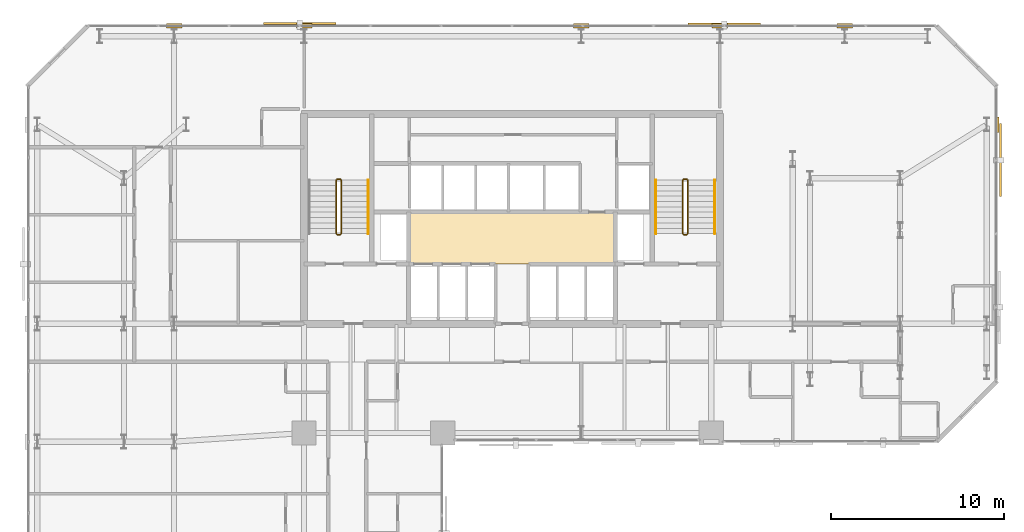
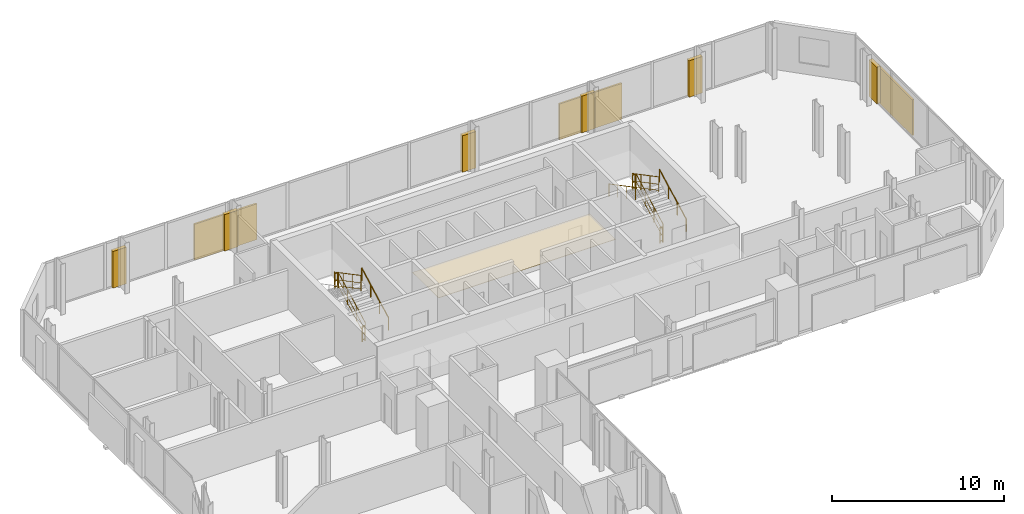
# One storey, part 33 of 33: 11 railings, 7 coverings, 3 shading devices.
"""IFC4 building model written with IfcOpenShell, lengths in metres."""

from ifc_helpers import new_model, si_unit, direction, frame, origin, origin_2d, place, context, subcontext, project, spatial, polyline, rectangle, circle, outline, extrude, material, layer, layer_set, type_object, element, save


model = new_model("IFC4")

# Units and contexts
model_context = context("Model", 3, precision=1e-05, world=origin(), true_north=direction((0.0, 1.0)))
body_context = subcontext(model_context, "Body", "Model", "MODEL_VIEW")
ifc_project = project(units=[si_unit("LENGTHUNIT", "METRE"), si_unit("AREAUNIT", "SQUARE_METRE"), si_unit("VOLUMEUNIT", "CUBIC_METRE"), si_unit("PLANEANGLEUNIT", "RADIAN"), si_unit("MASSUNIT", "GRAM", prefix="KILO")], contexts=[model_context])

# Site, building, storey
site_placement = place(None, origin())
site = spatial("IfcSite", under=ifc_project, at=site_placement, CompositionType="ELEMENT")
building_placement = place(site_placement, origin())
building = spatial("IfcBuilding", under=site, at=building_placement, Name="Catumbela Crestline Tower", CompositionType="ELEMENT")
storey_placement = place(building_placement, frame((0.0, 0.0, 43.8)))
storey = spatial("IfcBuildingStorey", under=building, at=storey_placement, Name="L10", CompositionType="ELEMENT", Elevation=43.8)

# Coverings
ifc_material_1 = material(Name="Mineral-fibre acoustic ceiling")
ifc_layer_1 = layer(ifc_material_1, 0.03, Name="Mineral-fibre acoustic ceiling")
ifc_layer_set_1 = layer_set([ifc_layer_1], Name="Mineral-fibre acoustic ceiling")
covering_type_1 = type_object("IfcCoveringType", Name="CC-AC", PredefinedType="CEILING", material=ifc_layer_set_1)
covering_placement = place(storey_placement, frame((0.0, 0.0, 2.65)))
element("IfcCovering", 1, at=covering_placement, inside=storey, type_object=covering_type_1, Name="L10 Lift Lobby Acoustic Ceiling", PredefinedType="CEILING", context=body_context, shape_type="SweptSolid", body=[
    extrude(outline(polyline([(22.05, 34.25), (33.95, 34.25), (33.95, 37.25), (22.05, 37.25), (22.05, 34.25)])), origin(), (0.0, 0.0, 1.0), 0.03),
])
ifc_material_2 = material(Name="Extruded terracotta ceramic", Category="masonry")
ifc_layer_2 = layer(ifc_material_2, 0.08, Name="Extruded terracotta ceramic")
ifc_layer_set_2 = layer_set([ifc_layer_2], Name="Extruded terracotta ceramic")
covering_type_2 = type_object("IfcCoveringType", Name="CC-TER", PredefinedType="CLADDING", material=ifc_layer_set_2)
for number, where, z_axis, x_axis, name in (
    (2, (56.0, 42.3, 0.0), (0.0, 0.0, 1.0), (0.0, 1.0, 0.0), "L10 Fluted Terracotta Column Cladding 50"),
    (3, (8.5, 48.0, 0.0), (0.0, 0.0, 1.0), (-1.0, 0.0, 0.0), "L10 Fluted Terracotta Column Cladding 51"),
    (4, (16.0, 48.0, 0.0), (0.0, 0.0, 1.0), (-1.0, 0.0, 0.0), "L10 Fluted Terracotta Column Cladding 52"),
    (5, (32.0, 48.0, 0.0), (0.0, 0.0, 1.0), (-1.0, 0.0, 0.0), "L10 Fluted Terracotta Column Cladding 53"),
    (6, (40.0, 48.0, 0.0), (0.0, 0.0, 1.0), (-1.0, 0.0, 0.0), "L10 Fluted Terracotta Column Cladding 54"),
    (7, (47.2, 48.0, 0.0), (0.0, 0.0, 1.0), (-1.0, 0.0, 0.0), "L10 Fluted Terracotta Column Cladding 55"),
):
    element("IfcCovering", number, at=place(storey_placement, frame(where, z_axis=z_axis, x_axis=x_axis)), inside=storey, type_object=covering_type_2, Name=name, PredefinedType="CLADDING", context=body_context, shape_type="SweptSolid", body=[
        extrude(rectangle(XDim=0.9, YDim=0.24, at=origin_2d()), origin(), (0.0, 0.0, 1.0), 2.6),
    ])

# Railings
ifc_material_3 = material(Name="Stainless steel EN 1.4401", Category="steel")
railing_type_1 = type_object("IfcRailingType", Name="RG-1100", PredefinedType="GUARDRAIL", material=ifc_material_3)
railing_1_placement = place(storey_placement, frame((18.14, 36.0, 0.1636)))
element("IfcRailing", 8, at=railing_1_placement, inside=storey, type_object=railing_type_1, Name="L10 ST-01 stair guard 1", PredefinedType="GUARDRAIL", context=body_context, shape_type="SweptSolid", body=[
    extrude(circle(Radius=0.024, at=origin_2d()), frame((0.0, 0.0, 1.076), z_axis=(0.0, 0.884350731049, 0.466823076222), x_axis=(-1.0, 0.0, 0.0)), (0.0, 0.0, 1.0), 3.5054),
    extrude(circle(Radius=0.0156, at=origin_2d()), frame((0.0, 0.0, 0.55), z_axis=(0.0, 0.884350731049, 0.466823076222), x_axis=(-1.0, 0.0, 0.0)), (0.0, 0.0, 1.0), 3.5054),
    extrude(circle(Radius=0.0156, at=origin_2d()), frame((0.0, 0.0, 0.12), z_axis=(0.0, 0.884350731049, 0.466823076222), x_axis=(-1.0, 0.0, 0.0)), (0.0, 0.0, 1.0), 3.5054),
    extrude(circle(Radius=0.021, at=origin_2d()), origin(), (0.0, 0.0, 1.0), 1.052),
    extrude(circle(Radius=0.021, at=origin_2d()), frame((0.0, 1.0333, 0.5455)), (0.0, 0.0, 1.0), 1.052),
    extrude(circle(Radius=0.021, at=origin_2d()), frame((0.0, 2.0667, 1.0909)), (0.0, 0.0, 1.0), 1.052),
    extrude(circle(Radius=0.021, at=origin_2d()), frame((0.0, 3.1, 1.6364)), (0.0, 0.0, 1.0), 1.052),
])
railing_2_placement = place(storey_placement, frame((18.09, 39.15, 1.8)))
element("IfcRailing", 9, at=railing_2_placement, inside=storey, type_object=railing_type_1, Name="L10 ST-01 stair guard 2", PredefinedType="GUARDRAIL", context=body_context, shape_type="SweptSolid", body=[
    extrude(circle(Radius=0.024, at=origin_2d()), frame((0.0, 0.0, 1.076), z_axis=(-1.0, 0.0, 0.0), x_axis=(0.0, -1.0, 0.0)), (0.0, 0.0, 1.0), 0.18),
    extrude(circle(Radius=0.0156, at=origin_2d()), frame((0.0, 0.0, 0.55), z_axis=(-1.0, 0.0, 0.0), x_axis=(0.0, -1.0, 0.0)), (0.0, 0.0, 1.0), 0.18),
    extrude(circle(Radius=0.0156, at=origin_2d()), frame((0.0, 0.0, 0.12), z_axis=(-1.0, 0.0, 0.0), x_axis=(0.0, -1.0, 0.0)), (0.0, 0.0, 1.0), 0.18),
    extrude(circle(Radius=0.021, at=origin_2d()), origin(), (0.0, 0.0, 1.0), 1.052),
    extrude(circle(Radius=0.021, at=origin_2d()), frame((-0.18, 0.0, 0.0)), (0.0, 0.0, 1.0), 1.052),
])
railing_3_placement = place(storey_placement, frame((17.86, 39.1, 1.9636)))
element("IfcRailing", 10, at=railing_3_placement, inside=storey, type_object=railing_type_1, Name="L10 ST-01 stair guard 3", PredefinedType="GUARDRAIL", context=body_context, shape_type="SweptSolid", body=[
    extrude(circle(Radius=0.024, at=origin_2d()), frame((0.0, 0.0, 1.076), z_axis=(0.0, -0.884350731049, 0.466823076222), x_axis=(1.0, 0.0, 0.0)), (0.0, 0.0, 1.0), 3.5054),
    extrude(circle(Radius=0.0156, at=origin_2d()), frame((0.0, 0.0, 0.55), z_axis=(0.0, -0.884350731049, 0.466823076222), x_axis=(1.0, 0.0, 0.0)), (0.0, 0.0, 1.0), 3.5054),
    extrude(circle(Radius=0.0156, at=origin_2d()), frame((0.0, 0.0, 0.12), z_axis=(0.0, -0.884350731049, 0.466823076222), x_axis=(1.0, 0.0, 0.0)), (0.0, 0.0, 1.0), 3.5054),
    extrude(circle(Radius=0.021, at=origin_2d()), origin(), (0.0, 0.0, 1.0), 1.052),
    extrude(circle(Radius=0.021, at=origin_2d()), frame((0.0, -1.0333, 0.5455)), (0.0, 0.0, 1.0), 1.052),
    extrude(circle(Radius=0.021, at=origin_2d()), frame((0.0, -2.0667, 1.0909)), (0.0, 0.0, 1.0), 1.052),
    extrude(circle(Radius=0.021, at=origin_2d()), frame((0.0, -3.1, 1.6364)), (0.0, 0.0, 1.0), 1.052),
])
railing_4_placement = place(storey_placement, frame((18.09, 35.95, 0.0)))
element("IfcRailing", 11, at=railing_4_placement, inside=storey, type_object=railing_type_1, Name="L10 ST-01 stair guard 4", PredefinedType="GUARDRAIL", context=body_context, shape_type="SweptSolid", body=[
    extrude(circle(Radius=0.024, at=origin_2d()), frame((0.0, 0.0, 1.076), z_axis=(-1.0, 0.0, 0.0), x_axis=(0.0, -1.0, 0.0)), (0.0, 0.0, 1.0), 0.18),
    extrude(circle(Radius=0.0156, at=origin_2d()), frame((0.0, 0.0, 0.55), z_axis=(-1.0, 0.0, 0.0), x_axis=(0.0, -1.0, 0.0)), (0.0, 0.0, 1.0), 0.18),
    extrude(circle(Radius=0.0156, at=origin_2d()), frame((0.0, 0.0, 0.12), z_axis=(-1.0, 0.0, 0.0), x_axis=(0.0, -1.0, 0.0)), (0.0, 0.0, 1.0), 0.18),
    extrude(circle(Radius=0.021, at=origin_2d()), origin(), (0.0, 0.0, 1.0), 1.052),
    extrude(circle(Radius=0.021, at=origin_2d()), frame((-0.18, 0.0, 0.0)), (0.0, 0.0, 1.0), 1.052),
])
railing_5_placement = place(storey_placement, frame((38.14, 36.0, 0.1636)))
element("IfcRailing", 12, at=railing_5_placement, inside=storey, type_object=railing_type_1, Name="L10 ST-02 stair guard 1", PredefinedType="GUARDRAIL", context=body_context, shape_type="SweptSolid", body=[
    extrude(circle(Radius=0.024, at=origin_2d()), frame((0.0, 0.0, 1.076), z_axis=(0.0, 0.884350731049, 0.466823076222), x_axis=(-1.0, 0.0, 0.0)), (0.0, 0.0, 1.0), 3.5054),
    extrude(circle(Radius=0.0156, at=origin_2d()), frame((0.0, 0.0, 0.55), z_axis=(0.0, 0.884350731049, 0.466823076222), x_axis=(-1.0, 0.0, 0.0)), (0.0, 0.0, 1.0), 3.5054),
    extrude(circle(Radius=0.0156, at=origin_2d()), frame((0.0, 0.0, 0.12), z_axis=(0.0, 0.884350731049, 0.466823076222), x_axis=(-1.0, 0.0, 0.0)), (0.0, 0.0, 1.0), 3.5054),
    extrude(circle(Radius=0.021, at=origin_2d()), origin(), (0.0, 0.0, 1.0), 1.052),
    extrude(circle(Radius=0.021, at=origin_2d()), frame((0.0, 1.0333, 0.5455)), (0.0, 0.0, 1.0), 1.052),
    extrude(circle(Radius=0.021, at=origin_2d()), frame((0.0, 2.0667, 1.0909)), (0.0, 0.0, 1.0), 1.052),
    extrude(circle(Radius=0.021, at=origin_2d()), frame((0.0, 3.1, 1.6364)), (0.0, 0.0, 1.0), 1.052),
])
railing_6_placement = place(storey_placement, frame((38.09, 39.15, 1.8)))
element("IfcRailing", 13, at=railing_6_placement, inside=storey, type_object=railing_type_1, Name="L10 ST-02 stair guard 2", PredefinedType="GUARDRAIL", context=body_context, shape_type="SweptSolid", body=[
    extrude(circle(Radius=0.024, at=origin_2d()), frame((0.0, 0.0, 1.076), z_axis=(-1.0, 0.0, 0.0), x_axis=(0.0, -1.0, 0.0)), (0.0, 0.0, 1.0), 0.18),
    extrude(circle(Radius=0.0156, at=origin_2d()), frame((0.0, 0.0, 0.55), z_axis=(-1.0, 0.0, 0.0), x_axis=(0.0, -1.0, 0.0)), (0.0, 0.0, 1.0), 0.18),
    extrude(circle(Radius=0.0156, at=origin_2d()), frame((0.0, 0.0, 0.12), z_axis=(-1.0, 0.0, 0.0), x_axis=(0.0, -1.0, 0.0)), (0.0, 0.0, 1.0), 0.18),
    extrude(circle(Radius=0.021, at=origin_2d()), origin(), (0.0, 0.0, 1.0), 1.052),
    extrude(circle(Radius=0.021, at=origin_2d()), frame((-0.18, 0.0, 0.0)), (0.0, 0.0, 1.0), 1.052),
])
railing_7_placement = place(storey_placement, frame((37.86, 39.1, 1.9636)))
element("IfcRailing", 14, at=railing_7_placement, inside=storey, type_object=railing_type_1, Name="L10 ST-02 stair guard 3", PredefinedType="GUARDRAIL", context=body_context, shape_type="SweptSolid", body=[
    extrude(circle(Radius=0.024, at=origin_2d()), frame((0.0, 0.0, 1.076), z_axis=(0.0, -0.884350731049, 0.466823076222), x_axis=(1.0, 0.0, 0.0)), (0.0, 0.0, 1.0), 3.5054),
    extrude(circle(Radius=0.0156, at=origin_2d()), frame((0.0, 0.0, 0.55), z_axis=(0.0, -0.884350731049, 0.466823076222), x_axis=(1.0, 0.0, 0.0)), (0.0, 0.0, 1.0), 3.5054),
    extrude(circle(Radius=0.0156, at=origin_2d()), frame((0.0, 0.0, 0.12), z_axis=(0.0, -0.884350731049, 0.466823076222), x_axis=(1.0, 0.0, 0.0)), (0.0, 0.0, 1.0), 3.5054),
    extrude(circle(Radius=0.021, at=origin_2d()), origin(), (0.0, 0.0, 1.0), 1.052),
    extrude(circle(Radius=0.021, at=origin_2d()), frame((0.0, -1.0333, 0.5455)), (0.0, 0.0, 1.0), 1.052),
    extrude(circle(Radius=0.021, at=origin_2d()), frame((0.0, -2.0667, 1.0909)), (0.0, 0.0, 1.0), 1.052),
    extrude(circle(Radius=0.021, at=origin_2d()), frame((0.0, -3.1, 1.6364)), (0.0, 0.0, 1.0), 1.052),
])
railing_8_placement = place(storey_placement, frame((38.09, 35.95, 0.0)))
element("IfcRailing", 15, at=railing_8_placement, inside=storey, type_object=railing_type_1, Name="L10 ST-02 stair guard 4", PredefinedType="GUARDRAIL", context=body_context, shape_type="SweptSolid", body=[
    extrude(circle(Radius=0.024, at=origin_2d()), frame((0.0, 0.0, 1.076), z_axis=(-1.0, 0.0, 0.0), x_axis=(0.0, -1.0, 0.0)), (0.0, 0.0, 1.0), 0.18),
    extrude(circle(Radius=0.0156, at=origin_2d()), frame((0.0, 0.0, 0.55), z_axis=(-1.0, 0.0, 0.0), x_axis=(0.0, -1.0, 0.0)), (0.0, 0.0, 1.0), 0.18),
    extrude(circle(Radius=0.0156, at=origin_2d()), frame((0.0, 0.0, 0.12), z_axis=(-1.0, 0.0, 0.0), x_axis=(0.0, -1.0, 0.0)), (0.0, 0.0, 1.0), 0.18),
    extrude(circle(Radius=0.021, at=origin_2d()), origin(), (0.0, 0.0, 1.0), 1.052),
    extrude(circle(Radius=0.021, at=origin_2d()), frame((-0.18, 0.0, 0.0)), (0.0, 0.0, 1.0), 1.052),
])
railing_type_2 = type_object("IfcRailingType", Name="RH-0900", PredefinedType="HANDRAIL", material=ifc_material_3)
for number, where, name in (
    (16, (19.7, 36.0, 0.1636), "L10 ST-01 stair handrail 1"),
    (17, (39.7, 36.0, 0.1636), "L10 ST-02 stair handrail 1"),
):
    element("IfcRailing", number, at=place(storey_placement, frame(where)), inside=storey, type_object=railing_type_2, Name=name, PredefinedType="HANDRAIL", context=body_context, shape_type="SweptSolid", body=[
        extrude(circle(Radius=0.024, at=origin_2d()), frame((0.0, 0.0, 0.876), z_axis=(0.0, 0.884350731049, 0.466823076222), x_axis=(-1.0, 0.0, 0.0)), (0.0, 0.0, 1.0), 3.5054),
        extrude(circle(Radius=0.021, at=origin_2d()), origin(), (0.0, 0.0, 1.0), 0.852),
        extrude(circle(Radius=0.021, at=origin_2d()), frame((0.0, 1.0333, 0.5455)), (0.0, 0.0, 1.0), 0.852),
        extrude(circle(Radius=0.021, at=origin_2d()), frame((0.0, 2.0667, 1.0909)), (0.0, 0.0, 1.0), 0.852),
        extrude(circle(Radius=0.021, at=origin_2d()), frame((0.0, 3.1, 1.6364)), (0.0, 0.0, 1.0), 0.852),
    ])
railing_9_placement = place(storey_placement, frame((36.3, 39.1, 1.9636)))
element("IfcRailing", 18, at=railing_9_placement, inside=storey, type_object=railing_type_2, Name="L10 ST-02 stair handrail 2", PredefinedType="HANDRAIL", context=body_context, shape_type="SweptSolid", body=[
    extrude(circle(Radius=0.024, at=origin_2d()), frame((0.0, 0.0, 0.876), z_axis=(0.0, -0.884350731049, 0.466823076222), x_axis=(1.0, 0.0, 0.0)), (0.0, 0.0, 1.0), 3.5054),
    extrude(circle(Radius=0.021, at=origin_2d()), origin(), (0.0, 0.0, 1.0), 0.852),
    extrude(circle(Radius=0.021, at=origin_2d()), frame((0.0, -1.0333, 0.5455)), (0.0, 0.0, 1.0), 0.852),
    extrude(circle(Radius=0.021, at=origin_2d()), frame((0.0, -2.0667, 1.0909)), (0.0, 0.0, 1.0), 0.852),
    extrude(circle(Radius=0.021, at=origin_2d()), frame((0.0, -3.1, 1.6364)), (0.0, 0.0, 1.0), 0.852),
])

# Shading devices
shading_device_type_1 = type_object("IfcShadingDeviceType", Name="ST-180", PredefinedType="USERDEFINED", material=ifc_material_2)
shading_device_1_placement = place(storey_placement, frame((40.25, 48.099, -0.1), z_axis=(0.0, 0.0, 1.0), x_axis=(-1.0, 0.0, 0.0)))
element("IfcShadingDevice", 19, at=shading_device_1_placement, inside=storey, type_object=shading_device_type_1, Name="L10 Perforated Terracotta Solar Screen 81 (180 mm)", ObjectType="SCREEN", PredefinedType="USERDEFINED", context=body_context, shape_type="SweptSolid", body=[
    extrude(rectangle(XDim=4.2, YDim=0.12, at=origin_2d()), origin(), (0.0, 0.0, 1.0), 2.55),
])
shading_device_type_2 = type_object("IfcShadingDeviceType", Name="ST-260", PredefinedType="USERDEFINED", material=ifc_material_2)
shading_device_2_placement = place(storey_placement, frame((15.75, 48.143, -0.1), z_axis=(0.0, 0.0, 1.0), x_axis=(-1.0, 0.0, 0.0)))
element("IfcShadingDevice", 20, at=shading_device_2_placement, inside=storey, type_object=shading_device_type_2, Name="L10 Perforated Terracotta Solar Screen 82 (260 mm)", ObjectType="SCREEN", PredefinedType="USERDEFINED", context=body_context, shape_type="SweptSolid", body=[
    extrude(rectangle(XDim=4.2, YDim=0.12, at=origin_2d()), origin(), (0.0, 0.0, 1.0), 2.55),
])
shading_device_type_3 = type_object("IfcShadingDeviceType", Name="ST-340", PredefinedType="USERDEFINED", material=ifc_material_2)
shading_device_3_placement = place(storey_placement, frame((56.187, 40.25, -0.1), z_axis=(0.0, 0.0, 1.0), x_axis=(0.0, 1.0, 0.0)))
element("IfcShadingDevice", 21, at=shading_device_3_placement, inside=storey, type_object=shading_device_type_3, Name="L10 Perforated Terracotta Solar Screen 80 (340 mm)", ObjectType="SCREEN", PredefinedType="USERDEFINED", context=body_context, shape_type="SweptSolid", body=[
    extrude(rectangle(XDim=4.2, YDim=0.12, at=origin_2d()), origin(), (0.0, 0.0, 1.0), 2.55),
])

save(model, "model.ifc")
